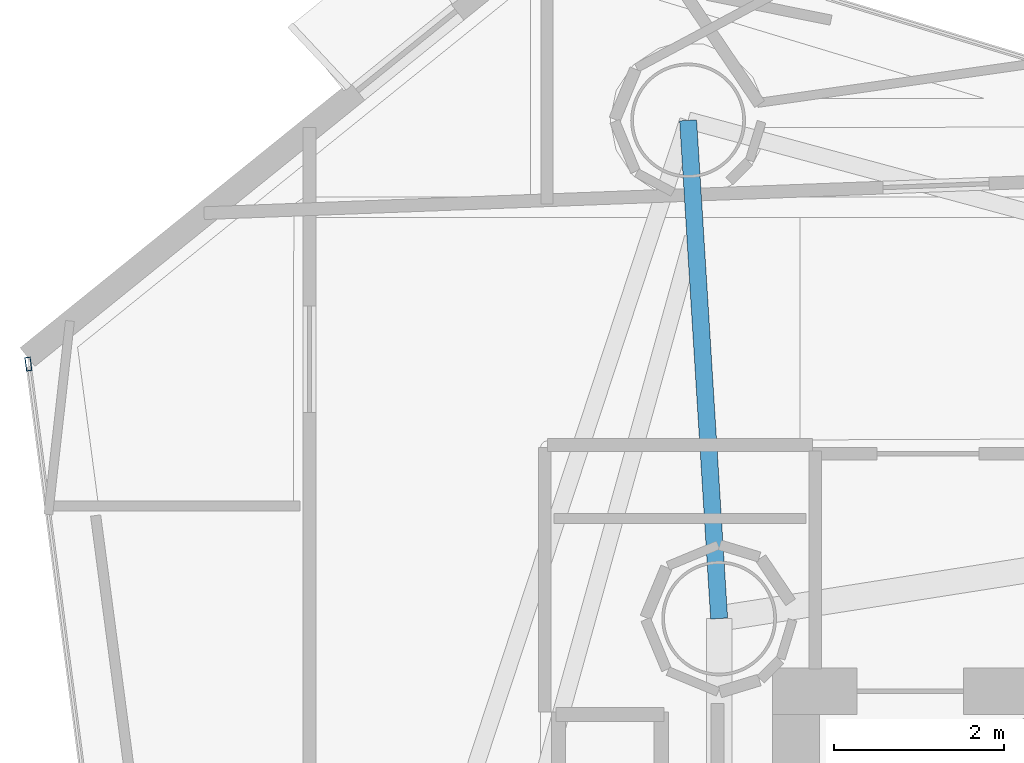
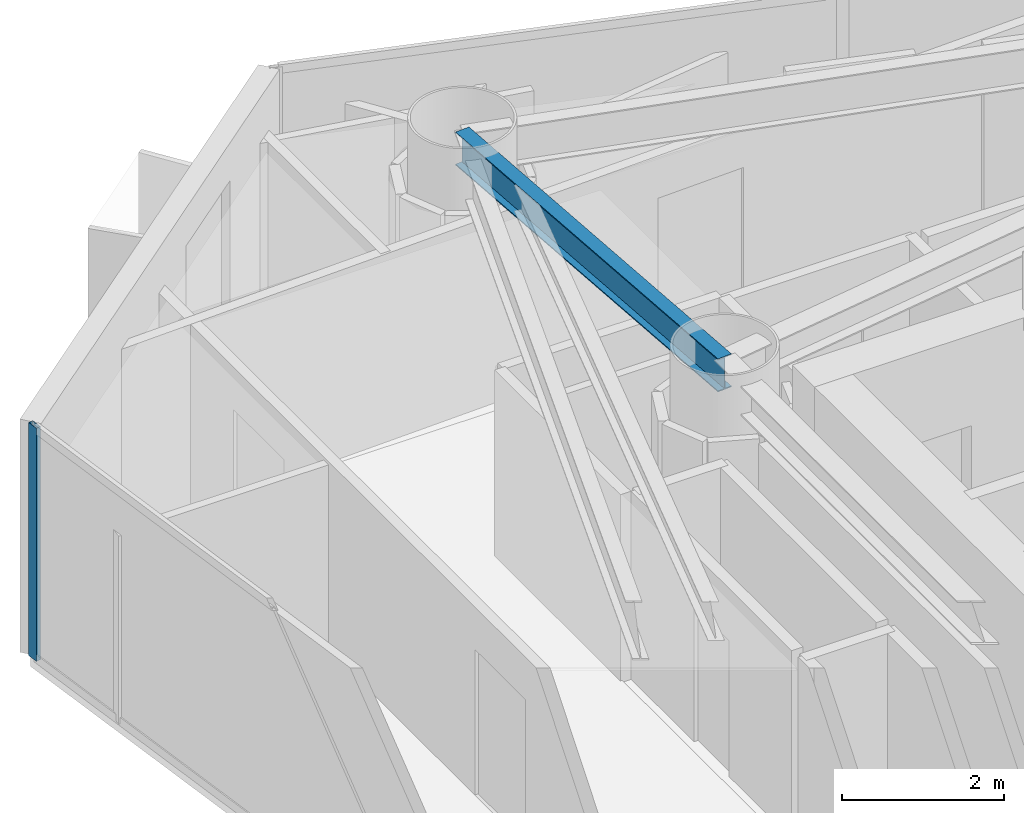
# One storey, part 11 of 22: 1 beam, 1 member, 1 element without a shape of its own.
"""IFC4 building model written with IfcOpenShell, lengths in metres."""

from ifc_helpers import new_model, si_unit, direction, frame, origin, origin_2d, place, context, subcontext, project, spatial, hollow_rectangle, i_section, extrude, material, layer, layer_set, material_profile, profile_set, type_object, element, aggregate, save


model = new_model("IFC4")

# Units and contexts
model_context = context("Model", 3, precision=1e-05, world=origin(), true_north=direction((0.0, 1.0)))
body_context = subcontext(model_context, "Body", "Model", "MODEL_VIEW")
ifc_project = project(units=[si_unit("LENGTHUNIT", "METRE"), si_unit("AREAUNIT", "SQUARE_METRE"), si_unit("VOLUMEUNIT", "CUBIC_METRE"), si_unit("PLANEANGLEUNIT", "RADIAN"), si_unit("MASSUNIT", "GRAM", prefix="KILO")], contexts=[model_context])

# Site, building, storey
site_placement = place(None, origin())
site = spatial("IfcSite", under=ifc_project, at=site_placement, CompositionType="ELEMENT")
building_placement = place(site_placement, origin())
building = spatial("IfcBuilding", under=site, at=building_placement, Name="Qianvela Tower", CompositionType="ELEMENT")
storey_placement = place(building_placement, frame((0.0, 0.0, 177.199951171875)))
storey = spatial("IfcBuildingStorey", under=building, at=storey_placement, Name="L45", CompositionType="ELEMENT", Elevation=177.199951171875)

# Beam
ifc_material_1 = material(Name="Steel Q355B", Category="steel")
ifc_material_profile_1 = material_profile(ifc_material_1, i_section(OverallWidth=0.199951171875, OverallDepth=0.5, WebThickness=0.010009765625, FlangeThickness=0.01611328125, at=origin_2d()), Name="HN500x200x10x16")
ifc_profile_set_1 = profile_set([ifc_material_profile_1], Name="Steel Q355B")
beam_type = type_object("IfcBeamType", Name="BM-HN500-GIRD", PredefinedType="BEAM", material=ifc_profile_set_1)
beam_placement = place(storey_placement, frame((28.60009765625, 33.550048828125, 3.26806640625), z_axis=(-0.0621556847, 0.998066466153, 0.0), x_axis=(-0.998066466153, -0.0621556847, 0.0)))
element("IfcBeam", 1, at=beam_placement, inside=storey, type_object=beam_type, Name="L45 Radial Primary Floor Girder 3", PredefinedType="BEAM", context=body_context, shape_type="SweptSolid", body=[
    extrude(i_section(OverallWidth=0.199951171875, OverallDepth=0.5, WebThickness=0.010009765625, FlangeThickness=0.01611328125, at=origin_2d()), origin(), (0.0, 0.0, 1.0), 5.872314453125),
])

# Curtain wall, member
ifc_material_2 = material(Name="Anodised Architectural Aluminium and Low-E Glass", Category="aluminium")
ifc_layer = layer(ifc_material_2, 0.169921875)
ifc_layer_set = layer_set([ifc_layer], Name="Anodised Architectural Aluminium and Low-E Glass")
curtain_wall_type = type_object("IfcCurtainWallType", Name="CW-COLIV-Z34", PredefinedType="USERDEFINED", material=ifc_layer_set)
curtain_wall_placement = place(storey_placement, origin())
curtain_wall = element("IfcCurtainWall", 2, at=curtain_wall_placement, inside=storey, type_object=curtain_wall_type, Name="L45 CW-COLIV-Z34 Curtain Wall 04A", ObjectType="CURTAIN_WALL_SYSTEM", PredefinedType="USERDEFINED")
ifc_material_3 = material(Name="Anodised Architectural Aluminium 6063-T6", Category="aluminium")
ifc_material_profile_2 = material_profile(ifc_material_3, hollow_rectangle(XDim=0.06494140625, YDim=0.159912109375, WallThickness=0.0048828125, at=origin_2d()), Name="ALU-MULL-65x160")
ifc_profile_set_2 = profile_set([ifc_material_profile_2], Name="Anodised Architectural Aluminium 6063-T6")
member_type = type_object("IfcMemberType", Name="CW-COLIV-Z34-MULL", PredefinedType="MULLION", material=ifc_profile_set_2)
member_placement = place(storey_placement, frame((20.47314453125, 36.544189453125, 0.0), z_axis=(0.0, 0.0, 1.0), x_axis=(0.991398204704, 0.130880096691, 0.0)))
member = element("IfcMember", 3, at=member_placement, type_object=member_type, Name="CW-4 mullion 1", PredefinedType="MULLION", context=body_context, shape_type="SweptSolid", body=[
    extrude(hollow_rectangle(XDim=0.06494140625, YDim=0.159912109375, WallThickness=0.0048828125, at=origin_2d()), origin(), (0.0, 0.0, 1.0), 3.52001953125),
])
aggregate(curtain_wall, [member])

save(model, "model.ifc")
